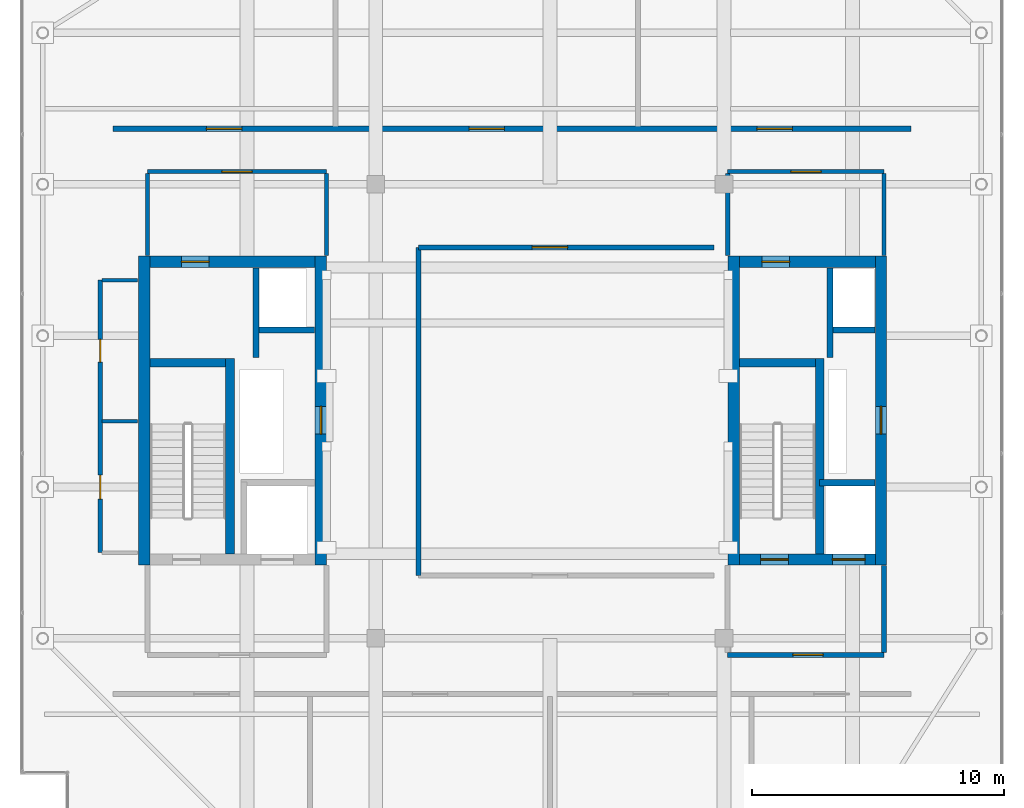
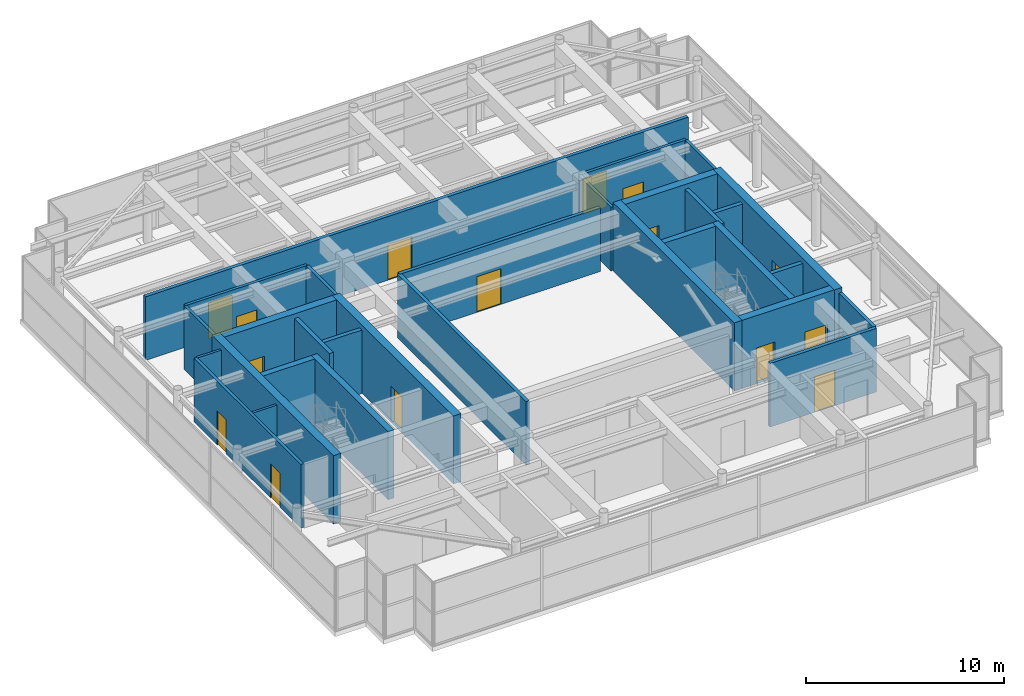
# One storey, part 30 of 32: 30 walls, 15 doors, 15 openings.
"""IFC4 building model written with IfcOpenShell, lengths in metres."""

from ifc_helpers import new_model, si_unit, direction, frame, frame_2d, origin, place, context, subcontext, project, spatial, rectangle, extrude, source, transform, mapped, material, layer, layer_set, type_object, element, fill, save


model = new_model("IFC4")

# Units and contexts
model_context = context("Model", 3, precision=1e-05, world=origin(), true_north=direction((0.0, 1.0)))
body_context = subcontext(model_context, "Body", "Model", "MODEL_VIEW")
ifc_project = project(units=[si_unit("LENGTHUNIT", "METRE"), si_unit("AREAUNIT", "SQUARE_METRE"), si_unit("VOLUMEUNIT", "CUBIC_METRE"), si_unit("PLANEANGLEUNIT", "RADIAN"), si_unit("MASSUNIT", "GRAM", prefix="KILO")], contexts=[model_context])

# Site, building, storey
site_placement = place(None, origin())
site = spatial("IfcSite", under=ifc_project, at=site_placement, CompositionType="ELEMENT")
building_placement = place(site_placement, origin())
building = spatial("IfcBuilding", under=site, at=building_placement, Name="Khoralis Quay Care Tower", CompositionType="ELEMENT")
storey_placement = place(building_placement, frame((0.0, 0.0, 293.699951171875)))
storey = spatial("IfcBuildingStorey", under=building, at=storey_placement, Name="L77", CompositionType="ELEMENT", Elevation=293.699951171875)

# Wall, opening, door
ifc_material_1 = material(Name="Gypsum plasterboard on acoustic metal stud")
ifc_layer_1 = layer(ifc_material_1, 0.199951171875)
ifc_layer_set_1 = layer_set([ifc_layer_1], Name="Gypsum plasterboard on acoustic metal stud")
wall_type_1 = type_object("IfcWallType", Name="WL-COMP-200", PredefinedType="PARTITIONING", material=ifc_layer_set_1)
wall_1_placement = place(storey_placement, frame((31.050048828125, 11.35009765625, 0.0), z_axis=(0.0, 0.0, 1.0), x_axis=(1.0, 0.0, 0.0)))
wall_1 = element("IfcWall", 1, at=wall_1_placement, inside=storey, type_object=wall_type_1, Name="L77 East Firefighting Lobby South Wall", PredefinedType="PARTITIONING", context=body_context, shape_type="SweptSolid", body=[
    extrude(rectangle(XDim=6.199951171875, YDim=0.199951171875, at=frame_2d((3.10009765625, 0.0))), origin(), (0.0, 0.0, 1.0), 3.920166015625),
])
opening_1_placement = place(wall_1_placement, frame((2.585693359375, 0.0, 0.0)))
opening_1 = element("IfcOpeningElement", 2, at=opening_1_placement, cuts=wall_1, Name="Opening FD1", PredefinedType="OPENING", context=body_context, shape_type="SweptSolid", body=[
    extrude(rectangle(XDim=1.199951171875, YDim=2.199951171875, at=frame_2d((0.60009765625, 1.10009765625))), frame((0.0, 0.10986328125, 0.0), z_axis=(0.0, -1.0, 0.0), x_axis=(1.0, 0.0, 0.0)), (0.0, 0.0, 1.0), 0.219970703125),
])
ifc_material_2 = material(Name="Fire-rated painted steel", Category="steel")
door_type_1 = type_object("IfcDoorType", Name="DR-FFL-1200X2200", OperationType="NOTDEFINED", PredefinedType="DOOR", material=ifc_material_2)
shared_shape_1 = source(origin(), body_context, "Body", "SweptSolid", [
    extrude(rectangle(XDim=1.199951171875, YDim=2.199951171875, at=frame_2d((0.60009765625, 1.10009765625))), frame((0.0, 0.02490234375, 0.0), z_axis=(0.0, -1.0, 0.0), x_axis=(1.0, 0.0, 0.0)), (0.0, 0.0, 1.0), 0.050048828125),
])
door_1_placement = place(opening_1_placement, origin())
door_1 = element("IfcDoor", 3, at=door_1_placement, inside=storey, type_object=door_type_1, Name="L77 East Firefighting Lobby Fire Door", OperationType="SINGLE_SWING_RIGHT", OverallHeight=2.199951171875, OverallWidth=1.199951171875, PredefinedType="DOOR", context=body_context, shape_type="MappedRepresentation", body=[
    mapped(shared_shape_1, transform((0.0, 0.0, 0.0), scale=1.0)),
])
fill(opening_1, door_1)

# Wall
wall_2_placement = place(storey_placement, frame((37.25, 11.445068359375, 0.0), z_axis=(0.0, 0.0, 1.0), x_axis=(0.0, 1.0, 0.0)))
element("IfcWall", 4, at=wall_2_placement, inside=storey, type_object=wall_type_1, Name="L77 East Firefighting Lobby East Wall", PredefinedType="PARTITIONING", context=body_context, shape_type="SweptSolid", body=[
    extrude(rectangle(XDim=3.434814453125, YDim=0.199951171875, at=frame_2d((1.71728515625, 0.0))), origin(), (0.0, 0.0, 1.0), 3.920166015625),
])

# Wall, openings, doors
wall_3_placement = place(storey_placement, frame((6.679931640625, 32.199951171875, 0.0), z_axis=(0.0, 0.0, 1.0), x_axis=(1.0, 0.0, 0.0)))
wall_3 = element("IfcWall", 5, at=wall_3_placement, inside=storey, type_object=wall_type_1, Name="L77 Plant Corridor North Wall", PredefinedType="PARTITIONING", context=body_context, shape_type="SweptSolid", body=[
    extrude(rectangle(XDim=31.64013671875, YDim=0.199951171875, at=frame_2d((15.820068359375, 0.0))), origin(), (0.0, 0.0, 1.0), 3.920166015625),
])
opening_2_placement = place(wall_3_placement, frame((3.7099609375, 0.0, 0.0)))
opening_2 = element("IfcOpeningElement", 6, at=opening_2_placement, cuts=wall_3, Name="Opening PD1", PredefinedType="OPENING", context=body_context, shape_type="SweptSolid", body=[
    extrude(rectangle(XDim=1.39990234375, YDim=2.199951171875, at=frame_2d((0.699951171875, 1.10009765625))), frame((0.0, 0.10986328125, 0.0), z_axis=(0.0, -1.0, 0.0), x_axis=(1.0, 0.0, 0.0)), (0.0, 0.0, 1.0), 0.219970703125),
])
opening_3_placement = place(wall_3_placement, frame((14.1201171875, 0.0, 0.0)))
opening_3 = element("IfcOpeningElement", 7, at=opening_3_placement, cuts=wall_3, Name="Opening PD1", PredefinedType="OPENING", context=body_context, shape_type="SweptSolid", body=[
    extrude(rectangle(XDim=1.39990234375, YDim=2.199951171875, at=frame_2d((0.699951171875, 1.10009765625))), frame((0.0, 0.10986328125, 0.0), z_axis=(0.0, -1.0, 0.0), x_axis=(1.0, 0.0, 0.0)), (0.0, 0.0, 1.0), 0.219970703125),
])
opening_4_placement = place(wall_3_placement, frame((25.530029296875, 0.0, 0.0)))
opening_4 = element("IfcOpeningElement", 8, at=opening_4_placement, cuts=wall_3, Name="Opening PD1", PredefinedType="OPENING", context=body_context, shape_type="SweptSolid", body=[
    extrude(rectangle(XDim=1.39990234375, YDim=2.199951171875, at=frame_2d((0.699951171875, 1.10009765625))), frame((0.0, 0.10986328125, 0.0), z_axis=(0.0, -1.0, 0.0), x_axis=(1.0, 0.0, 0.0)), (0.0, 0.0, 1.0), 0.219970703125),
])
door_type_2 = type_object("IfcDoorType", Name="DR-PLANT-1400X2200", OperationType="NOTDEFINED", PredefinedType="DOOR", material=ifc_material_2)
shared_shape_2 = source(origin(), body_context, "Body", "SweptSolid", [
    extrude(rectangle(XDim=1.39990234375, YDim=2.199951171875, at=frame_2d((0.699951171875, 1.10009765625))), frame((0.0, 0.02490234375, 0.0), z_axis=(0.0, -1.0, 0.0), x_axis=(1.0, 0.0, 0.0)), (0.0, 0.0, 1.0), 0.050048828125),
])
door_2_placement = place(opening_2_placement, origin())
door_2 = element("IfcDoor", 9, at=door_2_placement, inside=storey, type_object=door_type_2, Name="L77 Primary Air Handling Hall Plant Door", OperationType="DOUBLE_DOOR_SINGLE_SWING", OverallHeight=2.199951171875, OverallWidth=1.39990234375, PredefinedType="DOOR", context=body_context, shape_type="MappedRepresentation", body=[
    mapped(shared_shape_2, transform((0.0, 0.0, 0.0), scale=1.0)),
])
fill(opening_2, door_2)
door_3_placement = place(opening_3_placement, origin())
door_3 = element("IfcDoor", 10, at=door_3_placement, inside=storey, type_object=door_type_2, Name="L77 High-Voltage Transformer Room Plant Door", OperationType="DOUBLE_DOOR_SINGLE_SWING", OverallHeight=2.199951171875, OverallWidth=1.39990234375, PredefinedType="DOOR", context=body_context, shape_type="MappedRepresentation", body=[
    mapped(shared_shape_2, transform((0.0, 0.0, 0.0), scale=1.0)),
])
fill(opening_3, door_3)
door_4_placement = place(opening_4_placement, origin())
door_4 = element("IfcDoor", 11, at=door_4_placement, inside=storey, type_object=door_type_2, Name="L77 Solar Inverter Plant Plant Door", OperationType="DOUBLE_DOOR_SINGLE_SWING", OverallHeight=2.199951171875, OverallWidth=1.39990234375, PredefinedType="DOOR", context=body_context, shape_type="MappedRepresentation", body=[
    mapped(shared_shape_2, transform((0.0, 0.0, 0.0), scale=1.0)),
])
fill(opening_4, door_4)

# Wall, opening, door
wall_4_placement = place(storey_placement, frame((18.800048828125, 27.5, 0.0), z_axis=(0.0, 0.0, 1.0), x_axis=(1.0, 0.0, 0.0)))
wall_4 = element("IfcWall", 12, at=wall_4_placement, inside=storey, type_object=wall_type_1, Name="L77 Central Plant North Wall", PredefinedType="PARTITIONING", context=body_context, shape_type="SweptSolid", body=[
    extrude(rectangle(XDim=11.699951171875, YDim=0.199951171875, at=frame_2d((5.85009765625, 0.0))), origin(), (0.0, 0.0, 1.0), 3.920166015625),
])
opening_5_placement = place(wall_4_placement, frame((4.5, 0.0, 0.0)))
opening_5 = element("IfcOpeningElement", 13, at=opening_5_placement, cuts=wall_4, Name="Opening PD1", PredefinedType="OPENING", context=body_context, shape_type="SweptSolid", body=[
    extrude(rectangle(XDim=1.39990234375, YDim=2.199951171875, at=frame_2d((0.699951171875, 1.10009765625))), frame((0.0, 0.10986328125, 0.0), z_axis=(0.0, -1.0, 0.0), x_axis=(1.0, 0.0, 0.0)), (0.0, 0.0, 1.0), 0.219970703125),
])
door_5_placement = place(opening_5_placement, frame((1.39990234375, 0.0, 0.0), z_axis=(0.0, 0.0, 1.0), x_axis=(-1.0, 0.0, 0.0)))
door_5 = element("IfcDoor", 14, at=door_5_placement, inside=storey, type_object=door_type_2, Name="L77 Central Plant North Door", OperationType="DOUBLE_DOOR_SINGLE_SWING", OverallHeight=2.199951171875, OverallWidth=1.39990234375, PredefinedType="DOOR", context=body_context, shape_type="MappedRepresentation", body=[
    mapped(shared_shape_2, transform((0.0, 0.0, 0.0), scale=1.0)),
])
fill(opening_5, door_5)

# Walls
wall_5_placement = place(storey_placement, frame((18.800048828125, 14.5, 0.0), z_axis=(0.0, 0.0, 1.0), x_axis=(0.0, 1.0, 0.0)))
element("IfcWall", 15, at=wall_5_placement, inside=storey, type_object=wall_type_1, Name="L77 Central Plant West Corridor Wall", PredefinedType="PARTITIONING", context=body_context, shape_type="SweptSolid", body=[
    extrude(rectangle(XDim=13.0, YDim=0.199951171875, at=frame_2d((6.5, 0.0))), origin(), (0.0, 0.0, 1.0), 3.920166015625),
])
ifc_material_3 = material(Name="Concrete C50/60", Category="concrete")
ifc_layer_2 = layer(ifc_material_3, 0.449951171875)
ifc_layer_set_2 = layer_set([ifc_layer_2], Name="Concrete C50/60")
wall_type_2 = type_object("IfcWallType", Name="WL-CORE-450", PredefinedType="SHEAR", material=ifc_layer_set_2)
wall_6_placement = place(storey_placement, frame((7.925048828125, 14.89990234375, 0.0), z_axis=(0.0, 0.0, 1.0), x_axis=(0.0, 1.0, 0.0)))
element("IfcWall", 16, at=wall_6_placement, inside=storey, type_object=wall_type_2, Name="L77 WCORE West Shear Wall", PredefinedType="SHEAR", context=body_context, shape_type="SweptSolid", body=[
    extrude(rectangle(XDim=12.25, YDim=0.449951171875, at=frame_2d((6.125, 0.0))), origin(), (0.0, 0.0, 1.0), 4.199951171875),
])

# Wall, opening, door
wall_7_placement = place(storey_placement, frame((14.925048828125, 14.89990234375, 0.0), z_axis=(0.0, 0.0, 1.0), x_axis=(0.0, 1.0, 0.0)))
wall_7 = element("IfcWall", 17, at=wall_7_placement, inside=storey, type_object=wall_type_2, Name="L77 WCORE East Shear Wall", PredefinedType="SHEAR", context=body_context, shape_type="SweptSolid", body=[
    extrude(rectangle(XDim=12.25, YDim=0.449951171875, at=frame_2d((6.125, 0.0))), origin(), (0.0, 0.0, 1.0), 4.199951171875),
])
opening_6_placement = place(wall_7_placement, frame((5.199951171875, 0.0, 0.0)))
opening_6 = element("IfcOpeningElement", 18, at=opening_6_placement, cuts=wall_7, Name="Opening SD1", PredefinedType="OPENING", context=body_context, shape_type="SweptSolid", body=[
    extrude(rectangle(XDim=1.10009765625, YDim=2.199951171875, at=frame_2d((0.550048828125, 1.10009765625))), frame((0.0, 0.23486328125, 0.0), z_axis=(0.0, -1.0, 0.0), x_axis=(1.0, 0.0, 0.0)), (0.0, 0.0, 1.0), 0.469970703125),
])
door_type_3 = type_object("IfcDoorType", Name="DR-STAIR-1100X2200", OperationType="NOTDEFINED", PredefinedType="DOOR", material=ifc_material_2)
shared_shape_3 = source(origin(), body_context, "Body", "SweptSolid", [
    extrude(rectangle(XDim=1.10009765625, YDim=2.199951171875, at=frame_2d((0.550048828125, 1.10009765625))), frame((0.0, 0.02490234375, 0.0), z_axis=(0.0, -1.0, 0.0), x_axis=(1.0, 0.0, 0.0)), (0.0, 0.0, 1.0), 0.050048828125),
])
door_6_placement = place(opening_6_placement, origin())
door_6 = element("IfcDoor", 19, at=door_6_placement, inside=storey, type_object=door_type_3, Name="L77 West MEP Riser Door", OperationType="SINGLE_SWING_LEFT", OverallHeight=2.199951171875, OverallWidth=1.10009765625, PredefinedType="DOOR", context=body_context, shape_type="MappedRepresentation", body=[
    mapped(shared_shape_3, transform((0.0, 0.0, 0.0), scale=1.0)),
])
fill(opening_6, door_6)

wall_8_placement = place(storey_placement, frame((8.14990234375, 26.925048828125, 0.0), z_axis=(0.0, 0.0, 1.0), x_axis=(1.0, 0.0, 0.0)))
wall_8 = element("IfcWall", 20, at=wall_8_placement, inside=storey, type_object=wall_type_2, Name="L77 WCORE North Shear Wall", PredefinedType="SHEAR", context=body_context, shape_type="SweptSolid", body=[
    extrude(rectangle(XDim=6.550048828125, YDim=0.449951171875, at=frame_2d((3.27490234375, 0.0))), origin(), (0.0, 0.0, 1.0), 4.199951171875),
])
opening_7_placement = place(wall_8_placement, frame((1.25, 0.0, 0.0)))
opening_7 = element("IfcOpeningElement", 21, at=opening_7_placement, cuts=wall_8, Name="Opening SD1", PredefinedType="OPENING", context=body_context, shape_type="SweptSolid", body=[
    extrude(rectangle(XDim=1.10009765625, YDim=2.199951171875, at=frame_2d((0.550048828125, 1.10009765625))), frame((0.0, 0.23486328125, 0.0), z_axis=(0.0, -1.0, 0.0), x_axis=(1.0, 0.0, 0.0)), (0.0, 0.0, 1.0), 0.469970703125),
])
door_7_placement = place(opening_7_placement, frame((1.10009765625, 0.0, 0.0), z_axis=(0.0, 0.0, 1.0), x_axis=(-1.0, 0.0, 0.0)))
door_7 = element("IfcDoor", 22, at=door_7_placement, inside=storey, type_object=door_type_3, Name="L77 West Machine Room Door", OperationType="SINGLE_SWING_LEFT", OverallHeight=2.199951171875, OverallWidth=1.10009765625, PredefinedType="DOOR", context=body_context, shape_type="MappedRepresentation", body=[
    mapped(shared_shape_3, transform((0.0, 0.0, 0.0), scale=1.0)),
])
fill(opening_7, door_7)

# Wall
wall_9_placement = place(storey_placement, frame((31.294921875, 14.89990234375, 0.0), z_axis=(0.0, 0.0, 1.0), x_axis=(0.0, 1.0, 0.0)))
element("IfcWall", 23, at=wall_9_placement, inside=storey, type_object=wall_type_2, Name="L77 ECORE West Shear Wall", PredefinedType="SHEAR", context=body_context, shape_type="SweptSolid", body=[
    extrude(rectangle(XDim=12.25, YDim=0.449951171875, at=frame_2d((6.125, 0.0))), origin(), (0.0, 0.0, 1.0), 4.199951171875),
])

# Wall, opening, door
wall_10_placement = place(storey_placement, frame((37.125, 14.89990234375, 0.0), z_axis=(0.0, 0.0, 1.0), x_axis=(0.0, 1.0, 0.0)))
wall_10 = element("IfcWall", 24, at=wall_10_placement, inside=storey, type_object=wall_type_2, Name="L77 ECORE East Shear Wall", PredefinedType="SHEAR", context=body_context, shape_type="SweptSolid", body=[
    extrude(rectangle(XDim=12.25, YDim=0.449951171875, at=frame_2d((6.125, 0.0))), origin(), (0.0, 0.0, 1.0), 4.199951171875),
])
opening_8_placement = place(wall_10_placement, frame((5.199951171875, 0.0, 0.0)))
opening_8 = element("IfcOpeningElement", 25, at=opening_8_placement, cuts=wall_10, Name="Opening SD1", PredefinedType="OPENING", context=body_context, shape_type="SweptSolid", body=[
    extrude(rectangle(XDim=1.10009765625, YDim=2.199951171875, at=frame_2d((0.550048828125, 1.10009765625))), frame((0.0, 0.23486328125, 0.0), z_axis=(0.0, -1.0, 0.0), x_axis=(1.0, 0.0, 0.0)), (0.0, 0.0, 1.0), 0.469970703125),
])
door_8_placement = place(opening_8_placement, frame((1.10009765625, 0.0, 0.0), z_axis=(0.0, 0.0, 1.0), x_axis=(-1.0, 0.0, 0.0)))
door_8 = element("IfcDoor", 26, at=door_8_placement, inside=storey, type_object=door_type_3, Name="L77 East MEP Riser Door", OperationType="SINGLE_SWING_RIGHT", OverallHeight=2.199951171875, OverallWidth=1.10009765625, PredefinedType="DOOR", context=body_context, shape_type="MappedRepresentation", body=[
    mapped(shared_shape_3, transform((0.0, 0.0, 0.0), scale=1.0)),
])
fill(opening_8, door_8)

# Wall, openings, doors
wall_11_placement = place(storey_placement, frame((31.52001953125, 15.125, 0.0), z_axis=(0.0, 0.0, 1.0), x_axis=(1.0, 0.0, 0.0)))
wall_11 = element("IfcWall", 27, at=wall_11_placement, inside=storey, type_object=wall_type_2, Name="L77 ECORE South Shear Wall", PredefinedType="SHEAR", context=body_context, shape_type="SweptSolid", body=[
    extrude(rectangle(XDim=5.3798828125, YDim=0.449951171875, at=frame_2d((2.68994140625, 0.0))), origin(), (0.0, 0.0, 1.0), 4.199951171875),
])
opening_9_placement = place(wall_11_placement, frame((0.830078125, 0.0, 0.0)))
opening_9 = element("IfcOpeningElement", 28, at=opening_9_placement, cuts=wall_11, Name="Opening SD1", PredefinedType="OPENING", context=body_context, shape_type="SweptSolid", body=[
    extrude(rectangle(XDim=1.10009765625, YDim=2.199951171875, at=frame_2d((0.550048828125, 1.10009765625))), frame((0.0, 0.23486328125, 0.0), z_axis=(0.0, -1.0, 0.0), x_axis=(1.0, 0.0, 0.0)), (0.0, 0.0, 1.0), 0.469970703125),
])
opening_10_placement = place(wall_11_placement, frame((3.679931640625, 0.0, 0.0)))
opening_10 = element("IfcOpeningElement", 29, at=opening_10_placement, cuts=wall_11, Name="Opening LD2", PredefinedType="OPENING", context=body_context, shape_type="SweptSolid", body=[
    extrude(rectangle(XDim=1.300048828125, YDim=2.199951171875, at=frame_2d((0.64990234375, 1.10009765625))), frame((0.0, 0.23486328125, 0.0), z_axis=(0.0, -1.0, 0.0), x_axis=(1.0, 0.0, 0.0)), (0.0, 0.0, 1.0), 0.469970703125),
])
door_9_placement = place(opening_9_placement, origin())
door_9 = element("IfcDoor", 30, at=door_9_placement, inside=storey, type_object=door_type_3, Name="L77 Stair ST-T2 Fire Door", OperationType="SINGLE_SWING_RIGHT", OverallHeight=2.199951171875, OverallWidth=1.10009765625, PredefinedType="DOOR", context=body_context, shape_type="MappedRepresentation", body=[
    mapped(shared_shape_3, transform((0.0, 0.0, 0.0), scale=1.0)),
])
fill(opening_9, door_9)
ifc_material_4 = material(Name="Brushed stainless steel", Category="steel")
door_type_4 = type_object("IfcDoorType", Name="DR-LIFT-1300X2200", OperationType="SLIDING_TO_RIGHT", PredefinedType="DOOR", material=ifc_material_4)
shared_shape_4 = source(origin(), body_context, "Body", "SweptSolid", [
    extrude(rectangle(XDim=1.300048828125, YDim=2.199951171875, at=frame_2d((0.64990234375, 1.10009765625))), frame((0.0, 0.02490234375, 0.0), z_axis=(0.0, -1.0, 0.0), x_axis=(1.0, 0.0, 0.0)), (0.0, 0.0, 1.0), 0.050048828125),
])
door_10_placement = place(opening_10_placement, origin())
door_10 = element("IfcDoor", 31, at=door_10_placement, inside=storey, type_object=door_type_4, Name="L77 Firefighting Lift FFL-2 Landing Door", OperationType="SLIDING_TO_RIGHT", OverallHeight=2.199951171875, OverallWidth=1.300048828125, PredefinedType="DOOR", context=body_context, shape_type="MappedRepresentation", body=[
    mapped(shared_shape_4, transform((0.0, 0.0, 0.0), scale=1.0)),
])
fill(opening_10, door_10)

# Wall, opening, door
wall_12_placement = place(storey_placement, frame((31.52001953125, 26.925048828125, 0.0), z_axis=(0.0, 0.0, 1.0), x_axis=(1.0, 0.0, 0.0)))
wall_12 = element("IfcWall", 32, at=wall_12_placement, inside=storey, type_object=wall_type_2, Name="L77 ECORE North Shear Wall", PredefinedType="SHEAR", context=body_context, shape_type="SweptSolid", body=[
    extrude(rectangle(XDim=5.3798828125, YDim=0.449951171875, at=frame_2d((2.68994140625, 0.0))), origin(), (0.0, 0.0, 1.0), 4.199951171875),
])
opening_11_placement = place(wall_12_placement, frame((0.8798828125, 0.0, 0.0)))
opening_11 = element("IfcOpeningElement", 33, at=opening_11_placement, cuts=wall_12, Name="Opening SD1", PredefinedType="OPENING", context=body_context, shape_type="SweptSolid", body=[
    extrude(rectangle(XDim=1.10009765625, YDim=2.199951171875, at=frame_2d((0.550048828125, 1.10009765625))), frame((0.0, 0.23486328125, 0.0), z_axis=(0.0, -1.0, 0.0), x_axis=(1.0, 0.0, 0.0)), (0.0, 0.0, 1.0), 0.469970703125),
])
door_11_placement = place(opening_11_placement, frame((1.10009765625, 0.0, 0.0), z_axis=(0.0, 0.0, 1.0), x_axis=(-1.0, 0.0, 0.0)))
door_11 = element("IfcDoor", 34, at=door_11_placement, inside=storey, type_object=door_type_3, Name="L77 East Machine Room Door", OperationType="SINGLE_SWING_RIGHT", OverallHeight=2.199951171875, OverallWidth=1.10009765625, PredefinedType="DOOR", context=body_context, shape_type="MappedRepresentation", body=[
    mapped(shared_shape_3, transform((0.0, 0.0, 0.0), scale=1.0)),
])
fill(opening_11, door_11)

ifc_layer_3 = layer(ifc_material_1, 0.1650390625)
ifc_layer_set_3 = layer_set([ifc_layer_3], Name="Gypsum plasterboard on acoustic metal stud")
wall_type_3 = type_object("IfcWallType", Name="WL-CORR-165", PredefinedType="PARTITIONING", material=ifc_layer_set_3)
wall_13_placement = place(storey_placement, frame((8.050048828125, 30.5, 0.0), z_axis=(0.0, 0.0, 1.0), x_axis=(1.0, 0.0, 0.0)))
wall_13 = element("IfcWall", 35, at=wall_13_placement, inside=storey, type_object=wall_type_3, Name="L77 West Lift Lobby North Wall", PredefinedType="PARTITIONING", context=body_context, shape_type="SweptSolid", body=[
    extrude(rectangle(XDim=7.099853515625, YDim=0.1650390625, at=frame_2d((3.5498046875, 0.0))), origin(), (0.0, 0.0, 1.0), 3.920166015625),
])
opening_12_placement = place(wall_13_placement, frame((2.949951171875, 0.0, 0.0)))
opening_12 = element("IfcOpeningElement", 36, at=opening_12_placement, cuts=wall_13, Name="Opening FD1", PredefinedType="OPENING", context=body_context, shape_type="SweptSolid", body=[
    extrude(rectangle(XDim=1.199951171875, YDim=2.199951171875, at=frame_2d((0.60009765625, 1.10009765625))), frame((0.0, 0.092529296875, 0.0), z_axis=(0.0, -1.0, 0.0), x_axis=(1.0, 0.0, 0.0)), (0.0, 0.0, 1.0), 0.18505859375),
])
door_12_placement = place(opening_12_placement, origin())
door_12 = element("IfcDoor", 37, at=door_12_placement, inside=storey, type_object=door_type_1, Name="L77 West Lift Lobby Double Door", OperationType="DOUBLE_DOOR_SINGLE_SWING", OverallHeight=2.199951171875, OverallWidth=1.199951171875, PredefinedType="DOOR", context=body_context, shape_type="MappedRepresentation", body=[
    mapped(shared_shape_1, transform((0.0, 0.0, 0.0), scale=1.0)),
])
fill(opening_12, door_12)

# Walls
for number, where, z_axis, x_axis, name in (
    (38, (8.050048828125, 27.169921875, 0.0), (0.0, 0.0, 1.0), (0.0, 1.0, 0.0), "L77 West Lift Lobby West Wall"),
    (39, (15.14990234375, 27.169921875, 0.0), (0.0, 0.0, 1.0), (0.0, 1.0, 0.0), "L77 West Lift Lobby East Wall"),
):
    element("IfcWall", number, at=place(storey_placement, frame(where, z_axis=z_axis, x_axis=x_axis)), inside=storey, type_object=wall_type_3, Name=name, PredefinedType="PARTITIONING", context=body_context, shape_type="SweptSolid", body=[
        extrude(rectangle(XDim=3.252685546875, YDim=0.1650390625, at=frame_2d((1.62646484375, 0.0))), origin(), (0.0, 0.0, 1.0), 3.920166015625),
    ])

# Wall, opening, door
wall_14_placement = place(storey_placement, frame((31.050048828125, 30.5, 0.0), z_axis=(0.0, 0.0, 1.0), x_axis=(1.0, 0.0, 0.0)))
wall_14 = element("IfcWall", 40, at=wall_14_placement, inside=storey, type_object=wall_type_3, Name="L77 East Lift Lobby North Wall", PredefinedType="PARTITIONING", context=body_context, shape_type="SweptSolid", body=[
    extrude(rectangle(XDim=6.199951171875, YDim=0.1650390625, at=frame_2d((3.10009765625, 0.0))), origin(), (0.0, 0.0, 1.0), 3.920166015625),
])
opening_13_placement = place(wall_14_placement, frame((2.5, 0.0, 0.0)))
opening_13 = element("IfcOpeningElement", 41, at=opening_13_placement, cuts=wall_14, Name="Opening FD1", PredefinedType="OPENING", context=body_context, shape_type="SweptSolid", body=[
    extrude(rectangle(XDim=1.199951171875, YDim=2.199951171875, at=frame_2d((0.60009765625, 1.10009765625))), frame((0.0, 0.092529296875, 0.0), z_axis=(0.0, -1.0, 0.0), x_axis=(1.0, 0.0, 0.0)), (0.0, 0.0, 1.0), 0.18505859375),
])
door_13_placement = place(opening_13_placement, origin())
door_13 = element("IfcDoor", 42, at=door_13_placement, inside=storey, type_object=door_type_1, Name="L77 East Lift Lobby Double Door", OperationType="DOUBLE_DOOR_SINGLE_SWING", OverallHeight=2.199951171875, OverallWidth=1.199951171875, PredefinedType="DOOR", context=body_context, shape_type="MappedRepresentation", body=[
    mapped(shared_shape_1, transform((0.0, 0.0, 0.0), scale=1.0)),
])
fill(opening_13, door_13)

# Walls
for number, where, z_axis, x_axis, name in (
    (43, (31.050048828125, 27.169921875, 0.0), (0.0, 0.0, 1.0), (0.0, 1.0, 0.0), "L77 East Lift Lobby West Wall"),
    (44, (37.25, 27.169921875, 0.0), (0.0, 0.0, 1.0), (0.0, 1.0, 0.0), "L77 East Lift Lobby East Wall"),
):
    element("IfcWall", number, at=place(storey_placement, frame(where, z_axis=z_axis, x_axis=x_axis)), inside=storey, type_object=wall_type_3, Name=name, PredefinedType="PARTITIONING", context=body_context, shape_type="SweptSolid", body=[
        extrude(rectangle(XDim=3.252685546875, YDim=0.1650390625, at=frame_2d((1.62646484375, 0.0))), origin(), (0.0, 0.0, 1.0), 3.920166015625),
    ])

# Wall, openings, doors
wall_15_placement = place(storey_placement, frame((6.179931640625, 15.39990234375, 0.0), z_axis=(0.0, 0.0, 1.0), x_axis=(0.0, 1.0, 0.0)))
wall_15 = element("IfcWall", 45, at=wall_15_placement, inside=storey, type_object=wall_type_3, Name="L77 West Core Service Flank Wall", PredefinedType="PARTITIONING", context=body_context, shape_type="SweptSolid", body=[
    extrude(rectangle(XDim=10.800048828125, YDim=0.1650390625, at=frame_2d((5.39990234375, 0.0))), origin(), (0.0, 0.0, 1.0), 3.920166015625),
])
opening_14_placement = place(wall_15_placement, frame((2.125, 0.0, 0.0)))
opening_14 = element("IfcOpeningElement", 46, at=opening_14_placement, cuts=wall_15, Name="Opening ID1", PredefinedType="OPENING", context=body_context, shape_type="SweptSolid", body=[
    extrude(rectangle(XDim=0.949951171875, YDim=2.10009765625, at=frame_2d((0.47509765625, 1.050048828125))), frame((0.0, 0.092529296875, 0.0), z_axis=(0.0, -1.0, 0.0), x_axis=(1.0, 0.0, 0.0)), (0.0, 0.0, 1.0), 0.18505859375),
])
opening_15_placement = place(wall_15_placement, frame((7.550048828125, 0.0, 0.0)))
opening_15 = element("IfcOpeningElement", 47, at=opening_15_placement, cuts=wall_15, Name="Opening WD1", PredefinedType="OPENING", context=body_context, shape_type="SweptSolid", body=[
    extrude(rectangle(XDim=0.89990234375, YDim=2.10009765625, at=frame_2d((0.449951171875, 1.050048828125))), frame((0.0, 0.092529296875, 0.0), z_axis=(0.0, -1.0, 0.0), x_axis=(1.0, 0.0, 0.0)), (0.0, 0.0, 1.0), 0.18505859375),
])
ifc_material_5 = material(Name="Acoustic hardwood timber", Category="wood")
door_type_5 = type_object("IfcDoorType", Name="DR-BATH-900X2100", OperationType="NOTDEFINED", PredefinedType="DOOR", material=ifc_material_5)
shared_shape_5 = source(origin(), body_context, "Body", "SweptSolid", [
    extrude(rectangle(XDim=0.89990234375, YDim=2.10009765625, at=frame_2d((0.449951171875, 1.050048828125))), frame((0.0, 0.02490234375, 0.0), z_axis=(0.0, -1.0, 0.0), x_axis=(1.0, 0.0, 0.0)), (0.0, 0.0, 1.0), 0.050048828125),
])
door_14_placement = place(opening_15_placement, frame((0.89990234375, 0.0, 0.0), z_axis=(0.0, 0.0, 1.0), x_axis=(-1.0, 0.0, 0.0)))
door_14 = element("IfcDoor", 48, at=door_14_placement, inside=storey, type_object=door_type_5, Name="L77 Public Accessible WC Door", OperationType="SINGLE_SWING_LEFT", OverallHeight=2.10009765625, OverallWidth=0.89990234375, PredefinedType="DOOR", context=body_context, shape_type="MappedRepresentation", body=[
    mapped(shared_shape_5, transform((0.0, 0.0, 0.0), scale=1.0)),
])
fill(opening_15, door_14)
door_type_6 = type_object("IfcDoorType", Name="DR-ROOM-950X2100", OperationType="NOTDEFINED", PredefinedType="DOOR", material=ifc_material_5)
shared_shape_6 = source(origin(), body_context, "Body", "SweptSolid", [
    extrude(rectangle(XDim=0.949951171875, YDim=2.10009765625, at=frame_2d((0.47509765625, 1.050048828125))), frame((0.0, 0.02490234375, 0.0), z_axis=(0.0, -1.0, 0.0), x_axis=(1.0, 0.0, 0.0)), (0.0, 0.0, 1.0), 0.050048828125),
])
door_15_placement = place(opening_14_placement, frame((0.949951171875, 0.0, 0.0), z_axis=(0.0, 0.0, 1.0), x_axis=(-1.0, 0.0, 0.0)))
door_15 = element("IfcDoor", 49, at=door_15_placement, inside=storey, type_object=door_type_6, Name="L77 Housekeeping Linen Store Door", OperationType="SINGLE_SWING_RIGHT", OverallHeight=2.10009765625, OverallWidth=0.949951171875, PredefinedType="DOOR", context=body_context, shape_type="MappedRepresentation", body=[
    mapped(shared_shape_6, transform((0.0, 0.0, 0.0), scale=1.0)),
])
fill(opening_14, door_15)

# Walls
ifc_material_6 = material(Name="Moisture-resistant gypsum and ceramic tile")
ifc_layer_4 = layer(ifc_material_6, 0.280029296875)
ifc_layer_set_4 = layer_set([ifc_layer_4], Name="Moisture-resistant gypsum and ceramic tile")
wall_type_4 = type_object("IfcWallType", Name="WL-PLUMB-280", PredefinedType="PLUMBINGWALL", material=ifc_layer_set_4)
wall_16_placement = place(storey_placement, frame((6.257568359375, 20.60009765625, 0.0), z_axis=(0.0, 0.0, 1.0), x_axis=(1.0, 0.0, 0.0)))
element("IfcWall", 50, at=wall_16_placement, inside=storey, type_object=wall_type_4, Name="L77 West Flank Divider 1", PredefinedType="PLUMBINGWALL", context=body_context, shape_type="SweptSolid", body=[
    extrude(rectangle(XDim=1.40234375, YDim=0.139892578125, at=frame_2d((0.701171875, 0.0))), origin(), (0.0, 0.0, 1.0), 3.920166015625),
])
ifc_material_7 = material(Name="Concrete C40/50", Category="concrete")
ifc_layer_5 = layer(ifc_material_7, 0.35009765625)
ifc_layer_set_5 = layer_set([ifc_layer_5], Name="Concrete C40/50")
wall_type_5 = type_object("IfcWallType", Name="WL-SC-CORE-350", PredefinedType="SHEAR", material=ifc_layer_set_5)
wall_17_placement = place(storey_placement, frame((11.324951171875, 15.35009765625, 0.0), z_axis=(0.0, 0.0, 1.0), x_axis=(0.0, 1.0, 0.0)))
element("IfcWall", 51, at=wall_17_placement, inside=storey, type_object=wall_type_5, Name="L77 Stair ST-T1 Shear Baffle Wall East", PredefinedType="SHEAR", context=body_context, shape_type="SweptSolid", body=[
    extrude(rectangle(XDim=7.75, YDim=0.35009765625, at=frame_2d((3.875, 0.0))), origin(), (0.0, 0.0, 1.0), 4.199951171875),
])
wall_18_placement = place(storey_placement, frame((8.14990234375, 22.925048828125, 0.0), z_axis=(0.0, 0.0, 1.0), x_axis=(1.0, 0.0, 0.0)))
element("IfcWall", 52, at=wall_18_placement, inside=storey, type_object=wall_type_5, Name="L77 Stair ST-T1 Shear Baffle Wall North", PredefinedType="SHEAR", context=body_context, shape_type="SweptSolid", body=[
    extrude(rectangle(XDim=3.0, YDim=0.35009765625, at=frame_2d((1.5, 0.0))), origin(), (0.0, 0.0, 1.0), 4.199951171875),
])
wall_19_placement = place(storey_placement, frame((34.695068359375, 15.35009765625, 0.0), z_axis=(0.0, 0.0, 1.0), x_axis=(0.0, 1.0, 0.0)))
element("IfcWall", 53, at=wall_19_placement, inside=storey, type_object=wall_type_5, Name="L77 Stair ST-T2 Shear Baffle Wall East", PredefinedType="SHEAR", context=body_context, shape_type="SweptSolid", body=[
    extrude(rectangle(XDim=7.75, YDim=0.35009765625, at=frame_2d((3.875, 0.0))), origin(), (0.0, 0.0, 1.0), 4.199951171875),
])
wall_20_placement = place(storey_placement, frame((31.52001953125, 22.925048828125, 0.0), z_axis=(0.0, 0.0, 1.0), x_axis=(1.0, 0.0, 0.0)))
element("IfcWall", 54, at=wall_20_placement, inside=storey, type_object=wall_type_5, Name="L77 Stair ST-T2 Shear Baffle Wall North", PredefinedType="SHEAR", context=body_context, shape_type="SweptSolid", body=[
    extrude(rectangle(XDim=3.0, YDim=0.35009765625, at=frame_2d((1.5, 0.0))), origin(), (0.0, 0.0, 1.0), 4.199951171875),
])
ifc_layer_6 = layer(ifc_material_1, 0.239990234375)
ifc_layer_set_6 = layer_set([ifc_layer_6], Name="Gypsum plasterboard on acoustic metal stud")
wall_type_6 = type_object("IfcWallType", Name="WL-SHAFT-240", PredefinedType="PARTITIONING", material=ifc_layer_set_6)
wall_21_placement = place(storey_placement, frame((34.679931640625, 18.169921875, 0.0), z_axis=(0.0, 0.0, 1.0), x_axis=(1.0, 0.0, 0.0)))
element("IfcWall", 55, at=wall_21_placement, inside=storey, type_object=wall_type_6, Name="L77 FFL-2 Shaft Wall North", PredefinedType="PARTITIONING", context=body_context, shape_type="SweptSolid", body=[
    extrude(rectangle(XDim=2.199951171875, YDim=0.239990234375, at=frame_2d((1.10009765625, 0.0))), origin(), (0.0, 0.0, 1.0), 3.920166015625),
])
wall_22_placement = place(storey_placement, frame((12.465087890625, 24.22998046875, 0.0), z_axis=(0.0, 0.0, 1.0), x_axis=(1.0, 0.0, 0.0)))
element("IfcWall", 56, at=wall_22_placement, inside=storey, type_object=wall_type_6, Name="L77 Overrun Wall West", PredefinedType="PARTITIONING", context=body_context, shape_type="SweptSolid", body=[
    extrude(rectangle(XDim=2.21484375, YDim=0.239990234375, at=frame_2d((1.107421875, 0.0))), origin(), (0.0, 0.0, 1.0), 3.920166015625),
])
wall_23_placement = place(storey_placement, frame((12.35009765625, 23.139892578125, 0.0), z_axis=(0.0, 0.0, 1.0), x_axis=(0.0, 1.0, 0.0)))
element("IfcWall", 57, at=wall_23_placement, inside=storey, type_object=wall_type_6, Name="L77 Overrun Divider West", PredefinedType="PARTITIONING", context=body_context, shape_type="SweptSolid", body=[
    extrude(rectangle(XDim=3.5400390625, YDim=0.239990234375, at=frame_2d((1.77001953125, 0.0))), origin(), (0.0, 0.0, 1.0), 3.920166015625),
])
wall_24_placement = place(storey_placement, frame((35.22509765625, 24.22998046875, 0.0), z_axis=(0.0, 0.0, 1.0), x_axis=(1.0, 0.0, 0.0)))
element("IfcWall", 58, at=wall_24_placement, inside=storey, type_object=wall_type_6, Name="L77 Overrun Wall East", PredefinedType="PARTITIONING", context=body_context, shape_type="SweptSolid", body=[
    extrude(rectangle(XDim=1.65478515625, YDim=0.239990234375, at=frame_2d((0.827392578125, 0.0))), origin(), (0.0, 0.0, 1.0), 3.920166015625),
])
wall_25_placement = place(storey_placement, frame((35.110107421875, 23.139892578125, 0.0), z_axis=(0.0, 0.0, 1.0), x_axis=(0.0, 1.0, 0.0)))
element("IfcWall", 59, at=wall_25_placement, inside=storey, type_object=wall_type_6, Name="L77 Overrun Divider East", PredefinedType="PARTITIONING", context=body_context, shape_type="SweptSolid", body=[
    extrude(rectangle(XDim=3.5400390625, YDim=0.239990234375, at=frame_2d((1.77001953125, 0.0))), origin(), (0.0, 0.0, 1.0), 3.920166015625),
])
ifc_layer_7 = layer(ifc_material_1, 0.139892578125)
ifc_layer_set_7 = layer_set([ifc_layer_7], Name="Gypsum plasterboard on acoustic metal stud")
wall_type_7 = type_object("IfcWallType", Name="WL-UNIT-140", PredefinedType="PARTITIONING", material=ifc_layer_set_7)
wall_26_placement = place(storey_placement, frame((6.257568359375, 26.199951171875, 0.0), z_axis=(0.0, 0.0, 1.0), x_axis=(1.0, 0.0, 0.0)))
element("IfcWall", 60, at=wall_26_placement, inside=storey, type_object=wall_type_7, Name="L77 West Flank North Cap", PredefinedType="PARTITIONING", context=body_context, shape_type="SweptSolid", body=[
    extrude(rectangle(XDim=1.40234375, YDim=0.139892578125, at=frame_2d((0.701171875, 0.0))), origin(), (0.0, 0.0, 1.0), 3.920166015625),
])

save(model, "model.ifc")
